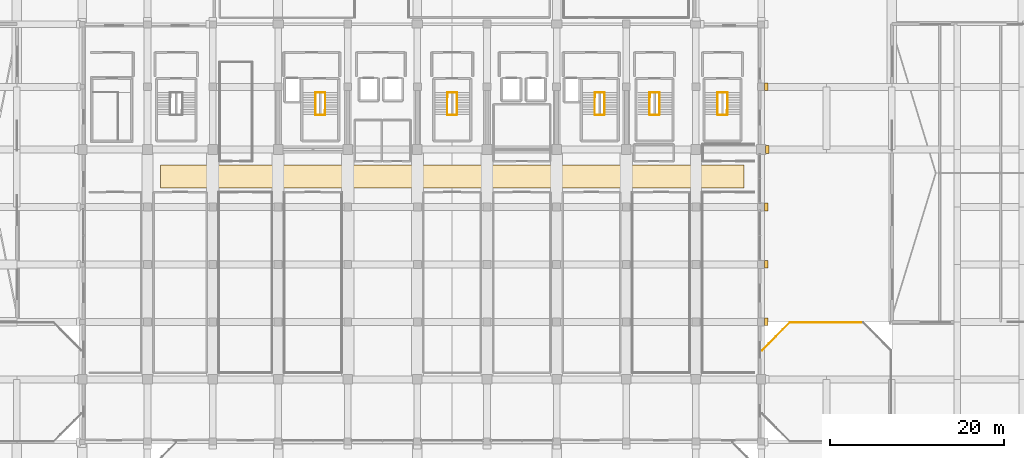
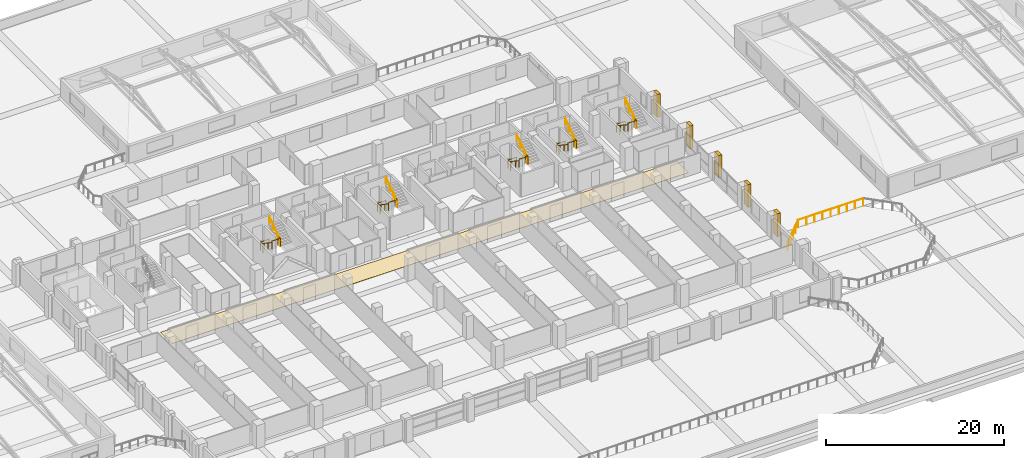
# One storey, part 47 of 49: 22 railings, 6 coverings.
"""IFC4 building model written with IfcOpenShell, lengths in metres."""

from ifc_helpers import new_model, si_unit, direction, frame, origin, origin_2d, place, context, subcontext, project, spatial, rectangle, circle, extrude, material, layer, layer_set, type_object, element, save


model = new_model("IFC4")

# Units and contexts
model_context = context("Model", 3, precision=1e-05, world=origin(), true_north=direction((0.0, 1.0)))
body_context = subcontext(model_context, "Body", "Model", "MODEL_VIEW")
ifc_project = project(units=[si_unit("LENGTHUNIT", "METRE"), si_unit("AREAUNIT", "SQUARE_METRE"), si_unit("VOLUMEUNIT", "CUBIC_METRE"), si_unit("PLANEANGLEUNIT", "RADIAN"), si_unit("MASSUNIT", "GRAM", prefix="KILO")], contexts=[model_context])

# Site, building, storey
site_placement = place(None, origin())
site = spatial("IfcSite", under=ifc_project, at=site_placement, CompositionType="ELEMENT")
building_placement = place(site_placement, origin())
building = spatial("IfcBuilding", under=site, at=building_placement, Name="Akrevak Sports Hall", CompositionType="ELEMENT")
storey_placement = place(building_placement, frame((0.0, 0.0, 24.14990234375)))
storey = spatial("IfcBuildingStorey", under=building, at=storey_placement, Name="L04", CompositionType="ELEMENT", Elevation=24.14990234375)

# Coverings
ifc_material_1 = material(Name="Polished Marmara Marble Terrazzo", Category="stone")
ifc_layer_1 = layer(ifc_material_1, 0.034912109375, Name="Polished Marmara Marble Terrazzo")
ifc_layer_set_1 = layer_set([ifc_layer_1], Name="Polished Marmara Marble Terrazzo")
covering_type_1 = type_object("IfcCoveringType", Name="ARC-COV-FLR-TERZ", PredefinedType="FLOORING", material=ifc_layer_set_1)
covering_placement = place(storey_placement, frame((80.0, 52.10009765625, 0.0), z_axis=(0.0, 0.0, 1.0), x_axis=(1.0, 0.0, 0.0)))
element("IfcCovering", 1, at=covering_placement, inside=storey, type_object=covering_type_1, Name="Transfer Sky Foyer Terrazzo Flooring", PredefinedType="FLOORING", context=body_context, shape_type="SweptSolid", body=[
    extrude(rectangle(XDim=67.0, YDim=2.60009765625, at=origin_2d()), origin(), (0.0, 0.0, 1.0), 0.034912109375),
])
ifc_material_2 = material(Name="Limestone Ashlar", Category="stone")
ifc_layer_2 = layer(ifc_material_2, 0.47998046875, Name="Limestone Ashlar")
ifc_layer_set_2 = layer_set([ifc_layer_2], Name="Limestone Ashlar")
covering_type_2 = type_object("IfcCoveringType", Name="ARC-COV-PIL-LIM", PredefinedType="CLADDING", material=ifc_layer_set_2)
for number, where, z_axis, x_axis, name in (
    (2, (116.080078125, 35.39990234375, 0.0), (0.0, 0.0, 1.0), (0.0, 1.0, 0.0), "Giant-Order Limestone Pilaster L04-02-13"),
    (3, (116.080078125, 42.0, 0.0), (0.0, 0.0, 1.0), (0.0, 1.0, 0.0), "Giant-Order Limestone Pilaster L04-02-14"),
    (4, (116.080078125, 48.60009765625, 0.0), (0.0, 0.0, 1.0), (0.0, 1.0, 0.0), "Giant-Order Limestone Pilaster L04-02-15"),
    (5, (116.179931640625, 55.199951171875, 0.0), (0.0, 0.0, 1.0), (0.0, 1.0, 0.0), "Giant-Order Limestone Pilaster L04-02-16"),
    (6, (116.080078125, 62.39990234375, 0.0), (0.0, 0.0, 1.0), (0.0, 1.0, 0.0), "Giant-Order Limestone Pilaster L04-02-17"),
):
    element("IfcCovering", number, at=place(storey_placement, frame(where, z_axis=z_axis, x_axis=x_axis)), inside=storey, type_object=covering_type_2, Name=name, PredefinedType="CLADDING", context=body_context, shape_type="SweptSolid", body=[
        extrude(rectangle(XDim=0.8798828125, YDim=0.419921875, at=origin_2d()), origin(), (0.0, 0.0, 1.0), 3.139892578125),
    ])

# Railings
ifc_material_3 = material(Name="Limestone Ashlar & Bronze Cap", Category="stone")
ifc_layer_3 = layer(ifc_material_3, 0.139892578125, Name="Limestone Ashlar & Bronze Cap")
ifc_layer_set_3 = layer_set([ifc_layer_3], Name="Limestone Ashlar & Bronze Cap")
railing_type_1 = type_object("IfcRailingType", Name="ARC-RL-BAL-1120", PredefinedType="BALUSTRADE", material=ifc_layer_set_3)
railing_1_placement = place(storey_placement, frame((127.219970703125, 35.320068359375, 0.0)))
element("IfcRailing", 7, at=railing_1_placement, inside=storey, type_object=railing_type_1, Name="Terrace Perimeter Balustrade L04-2.5", PredefinedType="BALUSTRADE", context=body_context, shape_type="SweptSolid", body=[
    extrude(circle(Radius=0.02392578125, at=origin_2d()), frame((0.0, 0.0, 1.09619140625), z_axis=(-1.0, 0.0, 0.0), x_axis=(0.0, -1.0, 0.0)), (0.0, 0.0, 1.0), 8.43994140625),
    extrude(circle(Radius=0.02099609375, at=origin_2d()), origin(), (0.0, 0.0, 1.0), 1.072021484375),
    extrude(circle(Radius=0.02099609375, at=origin_2d()), frame((-1.054931640625, 0.0, 0.0)), (0.0, 0.0, 1.0), 1.072021484375),
    extrude(circle(Radius=0.02099609375, at=origin_2d()), frame((-2.10986328125, 0.0, 0.0)), (0.0, 0.0, 1.0), 1.072021484375),
    extrude(circle(Radius=0.02099609375, at=origin_2d()), frame((-3.1650390625, 0.0, 0.0)), (0.0, 0.0, 1.0), 1.072021484375),
    extrude(circle(Radius=0.02099609375, at=origin_2d()), frame((-4.219970703125, 0.0, 0.0)), (0.0, 0.0, 1.0), 1.072021484375),
    extrude(circle(Radius=0.02099609375, at=origin_2d()), frame((-5.27490234375, 0.0, 0.0)), (0.0, 0.0, 1.0), 1.072021484375),
    extrude(circle(Radius=0.02099609375, at=origin_2d()), frame((-6.330078125, 0.0, 0.0)), (0.0, 0.0, 1.0), 1.072021484375),
    extrude(circle(Radius=0.02099609375, at=origin_2d()), frame((-7.385009765625, 0.0, 0.0)), (0.0, 0.0, 1.0), 1.072021484375),
    extrude(circle(Radius=0.02099609375, at=origin_2d()), frame((-8.43994140625, 0.0, 0.0)), (0.0, 0.0, 1.0), 1.072021484375),
])
railing_2_placement = place(storey_placement, frame((118.780029296875, 35.320068359375, 0.0)))
element("IfcRailing", 8, at=railing_2_placement, inside=storey, type_object=railing_type_1, Name="Terrace Perimeter Balustrade L04-2.6", PredefinedType="BALUSTRADE", context=body_context, shape_type="SweptSolid", body=[
    extrude(circle(Radius=0.02392578125, at=origin_2d()), frame((0.0, 0.0, 1.09619140625), z_axis=(-0.707106781187, -0.707106781187, 0.0), x_axis=(0.707106781187, -0.707106781187, 0.0)), (0.0, 0.0, 1.0), 4.525390625),
    extrude(circle(Radius=0.02099609375, at=origin_2d()), origin(), (0.0, 0.0, 1.0), 1.072021484375),
    extrude(circle(Radius=0.02099609375, at=origin_2d()), frame((-0.800048828125, -0.800048828125, 0.0)), (0.0, 0.0, 1.0), 1.072021484375),
    extrude(circle(Radius=0.02099609375, at=origin_2d()), frame((-1.60009765625, -1.60009765625, 0.0)), (0.0, 0.0, 1.0), 1.072021484375),
    extrude(circle(Radius=0.02099609375, at=origin_2d()), frame((-2.39990234375, -2.39990234375, 0.0)), (0.0, 0.0, 1.0), 1.072021484375),
    extrude(circle(Radius=0.02099609375, at=origin_2d()), frame((-3.199951171875, -3.199951171875, 0.0)), (0.0, 0.0, 1.0), 1.072021484375),
])
ifc_material_4 = material(Name="Painted Architectural Balustrade Steel", Category="steel")
ifc_layer_4 = layer(ifc_material_4, 0.06005859375, Name="Painted Architectural Balustrade Steel")
ifc_layer_set_4 = layer_set([ifc_layer_4], Name="Painted Architectural Balustrade Steel")
railing_type_2 = type_object("IfcRailingType", Name="ARC-RL-GRD-1120", PredefinedType="GUARDRAIL", material=ifc_layer_set_4)
railing_3_placement = place(storey_placement, frame((64.31005859375, 61.215087890625, 0.0)))
element("IfcRailing", 9, at=railing_3_placement, inside=storey, type_object=railing_type_2, Name="Stair Floor Landing Well Guard ST1 (L04)", PredefinedType="GUARDRAIL", context=body_context, shape_type="SweptSolid", body=[
    extrude(circle(Radius=0.02392578125, at=origin_2d()), frame((0.0, 0.0, 1.09619140625), z_axis=(0.0, 1.0, 0.0), x_axis=(-1.0, 0.0, 0.0)), (0.0, 0.0, 1.0), 0.5498046875),
    extrude(circle(Radius=0.02392578125, at=origin_2d()), frame((0.0, 0.5498046875, 1.09619140625), z_axis=(1.0, 0.0, 0.0), x_axis=(0.0, 1.0, 0.0)), (0.0, 0.0, 1.0), 1.10986328125),
    extrude(circle(Radius=0.02099609375, at=origin_2d()), origin(), (0.0, 0.0, 1.0), 1.072021484375),
    extrude(circle(Radius=0.02099609375, at=origin_2d()), frame((0.0, 0.5498046875, 0.0)), (0.0, 0.0, 1.0), 1.072021484375),
    extrude(circle(Radius=0.02099609375, at=origin_2d()), frame((1.10986328125, 0.5498046875, 0.0)), (0.0, 0.0, 1.0), 1.072021484375),
])
railing_4_placement = place(storey_placement, frame((64.280029296875, 59.18505859375, 1.7001953125)))
element("IfcRailing", 10, at=railing_4_placement, inside=storey, type_object=railing_type_2, Name="Stair Landing Well Guard ST1-L04-1", PredefinedType="GUARDRAIL", context=body_context, shape_type="SweptSolid", body=[
    extrude(circle(Radius=0.02392578125, at=origin_2d()), frame((0.0, 0.0, 1.09619140625), z_axis=(1.0, 0.0, 0.0), x_axis=(0.0, 1.0, 0.0)), (0.0, 0.0, 1.0), 1.10986328125),
    extrude(circle(Radius=0.02392578125, at=origin_2d()), frame((1.10986328125, 0.0, 1.09619140625), z_axis=(0.0, 1.0, 0.0), x_axis=(-1.0, 0.0, 0.0)), (0.0, 0.0, 1.0), 0.52001953125),
    extrude(circle(Radius=0.02099609375, at=origin_2d()), origin(), (0.0, 0.0, 1.0), 1.072021484375),
    extrude(circle(Radius=0.02099609375, at=origin_2d()), frame((1.10986328125, 0.0, 0.0)), (0.0, 0.0, 1.0), 1.072021484375),
    extrude(circle(Radius=0.02099609375, at=origin_2d()), frame((1.10986328125, 0.52001953125, 0.0)), (0.0, 0.0, 1.0), 1.072021484375),
])
railing_5_placement = place(storey_placement, frame((96.409912109375, 61.215087890625, 0.0)))
element("IfcRailing", 11, at=railing_5_placement, inside=storey, type_object=railing_type_2, Name="Stair Floor Landing Well Guard ST2 (L04)", PredefinedType="GUARDRAIL", context=body_context, shape_type="SweptSolid", body=[
    extrude(circle(Radius=0.02392578125, at=origin_2d()), frame((0.0, 0.0, 1.09619140625), z_axis=(0.0, 1.0, 0.0), x_axis=(-1.0, 0.0, 0.0)), (0.0, 0.0, 1.0), 0.5498046875),
    extrude(circle(Radius=0.02392578125, at=origin_2d()), frame((0.0, 0.5498046875, 1.09619140625), z_axis=(1.0, 0.0, 0.0), x_axis=(0.0, 1.0, 0.0)), (0.0, 0.0, 1.0), 1.110107421875),
    extrude(circle(Radius=0.02099609375, at=origin_2d()), origin(), (0.0, 0.0, 1.0), 1.072021484375),
    extrude(circle(Radius=0.02099609375, at=origin_2d()), frame((0.0, 0.5498046875, 0.0)), (0.0, 0.0, 1.0), 1.072021484375),
    extrude(circle(Radius=0.02099609375, at=origin_2d()), frame((1.110107421875, 0.5498046875, 0.0)), (0.0, 0.0, 1.0), 1.072021484375),
])
railing_6_placement = place(storey_placement, frame((96.3798828125, 59.18505859375, 1.7001953125)))
element("IfcRailing", 12, at=railing_6_placement, inside=storey, type_object=railing_type_2, Name="Stair Landing Well Guard ST2-L04-1", PredefinedType="GUARDRAIL", context=body_context, shape_type="SweptSolid", body=[
    extrude(circle(Radius=0.02392578125, at=origin_2d()), frame((0.0, 0.0, 1.09619140625), z_axis=(1.0, 0.0, 0.0), x_axis=(0.0, 1.0, 0.0)), (0.0, 0.0, 1.0), 1.110107421875),
    extrude(circle(Radius=0.02392578125, at=origin_2d()), frame((1.110107421875, 0.0, 1.09619140625), z_axis=(0.0, 1.0, 0.0), x_axis=(-1.0, 0.0, 0.0)), (0.0, 0.0, 1.0), 0.52001953125),
    extrude(circle(Radius=0.02099609375, at=origin_2d()), origin(), (0.0, 0.0, 1.0), 1.072021484375),
    extrude(circle(Radius=0.02099609375, at=origin_2d()), frame((1.110107421875, 0.0, 0.0)), (0.0, 0.0, 1.0), 1.072021484375),
    extrude(circle(Radius=0.02099609375, at=origin_2d()), frame((1.110107421875, 0.52001953125, 0.0)), (0.0, 0.0, 1.0), 1.072021484375),
])
railing_7_placement = place(storey_placement, frame((79.4599609375, 61.215087890625, 0.0)))
element("IfcRailing", 13, at=railing_7_placement, inside=storey, type_object=railing_type_2, Name="Stair Floor Landing Well Guard ST3 (L04)", PredefinedType="GUARDRAIL", context=body_context, shape_type="SweptSolid", body=[
    extrude(circle(Radius=0.02392578125, at=origin_2d()), frame((0.0, 0.0, 1.09619140625), z_axis=(0.0, 1.0, 0.0), x_axis=(-1.0, 0.0, 0.0)), (0.0, 0.0, 1.0), 0.5498046875),
    extrude(circle(Radius=0.02392578125, at=origin_2d()), frame((0.0, 0.5498046875, 1.09619140625), z_axis=(1.0, 0.0, 0.0), x_axis=(0.0, 1.0, 0.0)), (0.0, 0.0, 1.0), 1.110107421875),
    extrude(circle(Radius=0.02099609375, at=origin_2d()), origin(), (0.0, 0.0, 1.0), 1.072021484375),
    extrude(circle(Radius=0.02099609375, at=origin_2d()), frame((0.0, 0.5498046875, 0.0)), (0.0, 0.0, 1.0), 1.072021484375),
    extrude(circle(Radius=0.02099609375, at=origin_2d()), frame((1.110107421875, 0.5498046875, 0.0)), (0.0, 0.0, 1.0), 1.072021484375),
])
railing_8_placement = place(storey_placement, frame((79.429931640625, 59.18505859375, 1.7001953125)))
element("IfcRailing", 14, at=railing_8_placement, inside=storey, type_object=railing_type_2, Name="Stair Landing Well Guard ST3-L04-1", PredefinedType="GUARDRAIL", context=body_context, shape_type="SweptSolid", body=[
    extrude(circle(Radius=0.02392578125, at=origin_2d()), frame((0.0, 0.0, 1.09619140625), z_axis=(1.0, 0.0, 0.0), x_axis=(0.0, 1.0, 0.0)), (0.0, 0.0, 1.0), 1.110107421875),
    extrude(circle(Radius=0.02392578125, at=origin_2d()), frame((1.110107421875, 0.0, 1.09619140625), z_axis=(0.0, 1.0, 0.0), x_axis=(-1.0, 0.0, 0.0)), (0.0, 0.0, 1.0), 0.52001953125),
    extrude(circle(Radius=0.02099609375, at=origin_2d()), origin(), (0.0, 0.0, 1.0), 1.072021484375),
    extrude(circle(Radius=0.02099609375, at=origin_2d()), frame((1.110107421875, 0.0, 0.0)), (0.0, 0.0, 1.0), 1.072021484375),
    extrude(circle(Radius=0.02099609375, at=origin_2d()), frame((1.110107421875, 0.52001953125, 0.0)), (0.0, 0.0, 1.0), 1.072021484375),
])
railing_9_placement = place(storey_placement, frame((102.7099609375, 61.215087890625, 0.0)))
element("IfcRailing", 15, at=railing_9_placement, inside=storey, type_object=railing_type_2, Name="Stair Floor Landing Well Guard ST10 (L04)", PredefinedType="GUARDRAIL", context=body_context, shape_type="SweptSolid", body=[
    extrude(circle(Radius=0.02392578125, at=origin_2d()), frame((0.0, 0.0, 1.09619140625), z_axis=(0.0, 1.0, 0.0), x_axis=(-1.0, 0.0, 0.0)), (0.0, 0.0, 1.0), 0.5498046875),
    extrude(circle(Radius=0.02392578125, at=origin_2d()), frame((0.0, 0.5498046875, 1.09619140625), z_axis=(1.0, 0.0, 0.0), x_axis=(0.0, 1.0, 0.0)), (0.0, 0.0, 1.0), 1.110107421875),
    extrude(circle(Radius=0.02099609375, at=origin_2d()), origin(), (0.0, 0.0, 1.0), 1.072021484375),
    extrude(circle(Radius=0.02099609375, at=origin_2d()), frame((0.0, 0.5498046875, 0.0)), (0.0, 0.0, 1.0), 1.072021484375),
    extrude(circle(Radius=0.02099609375, at=origin_2d()), frame((1.110107421875, 0.5498046875, 0.0)), (0.0, 0.0, 1.0), 1.072021484375),
])
railing_10_placement = place(storey_placement, frame((102.679931640625, 59.18505859375, 1.7001953125)))
element("IfcRailing", 16, at=railing_10_placement, inside=storey, type_object=railing_type_2, Name="Stair Landing Well Guard ST10-L04-1", PredefinedType="GUARDRAIL", context=body_context, shape_type="SweptSolid", body=[
    extrude(circle(Radius=0.02392578125, at=origin_2d()), frame((0.0, 0.0, 1.09619140625), z_axis=(1.0, 0.0, 0.0), x_axis=(0.0, 1.0, 0.0)), (0.0, 0.0, 1.0), 1.110107421875),
    extrude(circle(Radius=0.02392578125, at=origin_2d()), frame((1.110107421875, 0.0, 1.09619140625), z_axis=(0.0, 1.0, 0.0), x_axis=(-1.0, 0.0, 0.0)), (0.0, 0.0, 1.0), 0.52001953125),
    extrude(circle(Radius=0.02099609375, at=origin_2d()), origin(), (0.0, 0.0, 1.0), 1.072021484375),
    extrude(circle(Radius=0.02099609375, at=origin_2d()), frame((1.110107421875, 0.0, 0.0)), (0.0, 0.0, 1.0), 1.072021484375),
    extrude(circle(Radius=0.02099609375, at=origin_2d()), frame((1.110107421875, 0.52001953125, 0.0)), (0.0, 0.0, 1.0), 1.072021484375),
])
railing_11_placement = place(storey_placement, frame((110.510009765625, 61.215087890625, 0.0)))
element("IfcRailing", 17, at=railing_11_placement, inside=storey, type_object=railing_type_2, Name="Stair Floor Landing Well Guard ST11 (L04)", PredefinedType="GUARDRAIL", context=body_context, shape_type="SweptSolid", body=[
    extrude(circle(Radius=0.02392578125, at=origin_2d()), frame((0.0, 0.0, 1.09619140625), z_axis=(0.0, 1.0, 0.0), x_axis=(-1.0, 0.0, 0.0)), (0.0, 0.0, 1.0), 0.5498046875),
    extrude(circle(Radius=0.02392578125, at=origin_2d()), frame((0.0, 0.5498046875, 1.09619140625), z_axis=(1.0, 0.0, 0.0), x_axis=(0.0, 1.0, 0.0)), (0.0, 0.0, 1.0), 1.110107421875),
    extrude(circle(Radius=0.02099609375, at=origin_2d()), origin(), (0.0, 0.0, 1.0), 1.072021484375),
    extrude(circle(Radius=0.02099609375, at=origin_2d()), frame((0.0, 0.5498046875, 0.0)), (0.0, 0.0, 1.0), 1.072021484375),
    extrude(circle(Radius=0.02099609375, at=origin_2d()), frame((1.110107421875, 0.5498046875, 0.0)), (0.0, 0.0, 1.0), 1.072021484375),
])
railing_12_placement = place(storey_placement, frame((110.47998046875, 59.18505859375, 1.7001953125)))
element("IfcRailing", 18, at=railing_12_placement, inside=storey, type_object=railing_type_2, Name="Stair Landing Well Guard ST11-L04-1", PredefinedType="GUARDRAIL", context=body_context, shape_type="SweptSolid", body=[
    extrude(circle(Radius=0.02392578125, at=origin_2d()), frame((0.0, 0.0, 1.09619140625), z_axis=(1.0, 0.0, 0.0), x_axis=(0.0, 1.0, 0.0)), (0.0, 0.0, 1.0), 1.110107421875),
    extrude(circle(Radius=0.02392578125, at=origin_2d()), frame((1.110107421875, 0.0, 1.09619140625), z_axis=(0.0, 1.0, 0.0), x_axis=(-1.0, 0.0, 0.0)), (0.0, 0.0, 1.0), 0.52001953125),
    extrude(circle(Radius=0.02099609375, at=origin_2d()), origin(), (0.0, 0.0, 1.0), 1.072021484375),
    extrude(circle(Radius=0.02099609375, at=origin_2d()), frame((1.110107421875, 0.0, 0.0)), (0.0, 0.0, 1.0), 1.072021484375),
    extrude(circle(Radius=0.02099609375, at=origin_2d()), frame((1.110107421875, 0.52001953125, 0.0)), (0.0, 0.0, 1.0), 1.072021484375),
])
ifc_material_5 = material(Name="Brushed Stainless Steel 304", Category="steel")
ifc_layer_5 = layer(ifc_material_5, 0.050048828125, Name="Brushed Stainless Steel 304")
ifc_layer_set_5 = layer_set([ifc_layer_5], Name="Brushed Stainless Steel 304")
railing_type_3 = type_object("IfcRailingType", Name="ARC-RL-HND-900", PredefinedType="HANDRAIL", material=ifc_layer_set_5)
railing_13_placement = place(storey_placement, frame((64.280029296875, 61.735107421875, 0.0)))
element("IfcRailing", 19, at=railing_13_placement, inside=storey, type_object=railing_type_3, Name="Stair Handrail ST1-L04-F1", PredefinedType="HANDRAIL", context=body_context, shape_type="SweptSolid", body=[
    extrude(circle(Radius=0.02392578125, at=origin_2d()), frame((0.0, 0.0, 0.8759765625), z_axis=(0.0, -0.828973413598, 0.559288011267), x_axis=(1.0, 0.0, 0.0)), (0.0, 0.0, 1.0), 3.0400390625),
    extrude(circle(Radius=0.02099609375, at=origin_2d()), origin(), (0.0, 0.0, 1.0), 0.851806640625),
    extrude(circle(Radius=0.02099609375, at=origin_2d()), frame((0.0, -0.840087890625, 0.566650390625)), (0.0, 0.0, 1.0), 0.851806640625),
    extrude(circle(Radius=0.02099609375, at=origin_2d()), frame((0.0, -1.679931640625, 1.133544921875)), (0.0, 0.0, 1.0), 0.851806640625),
    extrude(circle(Radius=0.02099609375, at=origin_2d()), frame((0.0, -2.52001953125, 1.7001953125)), (0.0, 0.0, 1.0), 0.851806640625),
])
railing_14_placement = place(storey_placement, frame((65.419921875, 59.215087890625, 1.7001953125)))
element("IfcRailing", 20, at=railing_14_placement, inside=storey, type_object=railing_type_3, Name="Stair Handrail ST1-L04-F2", PredefinedType="HANDRAIL", context=body_context, shape_type="SweptSolid", body=[
    extrude(circle(Radius=0.02392578125, at=origin_2d()), frame((0.0, 0.0, 0.8759765625), z_axis=(0.0, 0.829010648562, 0.559232817859), x_axis=(-1.0, 0.0, 0.0)), (0.0, 0.0, 1.0), 3.039794921875),
    extrude(circle(Radius=0.02099609375, at=origin_2d()), origin(), (0.0, 0.0, 1.0), 0.851806640625),
    extrude(circle(Radius=0.02099609375, at=origin_2d()), frame((0.0, 0.840087890625, 0.566650390625)), (0.0, 0.0, 1.0), 0.851806640625),
    extrude(circle(Radius=0.02099609375, at=origin_2d()), frame((0.0, 1.679931640625, 1.13330078125)), (0.0, 0.0, 1.0), 0.851806640625),
    extrude(circle(Radius=0.02099609375, at=origin_2d()), frame((0.0, 2.52001953125, 1.699951171875)), (0.0, 0.0, 1.0), 0.851806640625),
])
railing_15_placement = place(storey_placement, frame((96.3798828125, 61.735107421875, 0.0)))
element("IfcRailing", 21, at=railing_15_placement, inside=storey, type_object=railing_type_3, Name="Stair Handrail ST2-L04-F1", PredefinedType="HANDRAIL", context=body_context, shape_type="SweptSolid", body=[
    extrude(circle(Radius=0.02392578125, at=origin_2d()), frame((0.0, 0.0, 0.8759765625), z_axis=(0.0, -0.828973413598, 0.559288011267), x_axis=(1.0, 0.0, 0.0)), (0.0, 0.0, 1.0), 3.0400390625),
    extrude(circle(Radius=0.02099609375, at=origin_2d()), origin(), (0.0, 0.0, 1.0), 0.851806640625),
    extrude(circle(Radius=0.02099609375, at=origin_2d()), frame((0.0, -0.840087890625, 0.566650390625)), (0.0, 0.0, 1.0), 0.851806640625),
    extrude(circle(Radius=0.02099609375, at=origin_2d()), frame((0.0, -1.679931640625, 1.133544921875)), (0.0, 0.0, 1.0), 0.851806640625),
    extrude(circle(Radius=0.02099609375, at=origin_2d()), frame((0.0, -2.52001953125, 1.7001953125)), (0.0, 0.0, 1.0), 0.851806640625),
])
railing_16_placement = place(storey_placement, frame((97.52001953125, 59.215087890625, 1.7001953125)))
element("IfcRailing", 22, at=railing_16_placement, inside=storey, type_object=railing_type_3, Name="Stair Handrail ST2-L04-F2", PredefinedType="HANDRAIL", context=body_context, shape_type="SweptSolid", body=[
    extrude(circle(Radius=0.02392578125, at=origin_2d()), frame((0.0, 0.0, 0.8759765625), z_axis=(0.0, 0.829010648562, 0.559232817859), x_axis=(-1.0, 0.0, 0.0)), (0.0, 0.0, 1.0), 3.039794921875),
    extrude(circle(Radius=0.02099609375, at=origin_2d()), origin(), (0.0, 0.0, 1.0), 0.851806640625),
    extrude(circle(Radius=0.02099609375, at=origin_2d()), frame((0.0, 0.840087890625, 0.566650390625)), (0.0, 0.0, 1.0), 0.851806640625),
    extrude(circle(Radius=0.02099609375, at=origin_2d()), frame((0.0, 1.679931640625, 1.13330078125)), (0.0, 0.0, 1.0), 0.851806640625),
    extrude(circle(Radius=0.02099609375, at=origin_2d()), frame((0.0, 2.52001953125, 1.699951171875)), (0.0, 0.0, 1.0), 0.851806640625),
])
railing_17_placement = place(storey_placement, frame((79.429931640625, 61.735107421875, 0.0)))
element("IfcRailing", 23, at=railing_17_placement, inside=storey, type_object=railing_type_3, Name="Stair Handrail ST3-L04-F1", PredefinedType="HANDRAIL", context=body_context, shape_type="SweptSolid", body=[
    extrude(circle(Radius=0.02392578125, at=origin_2d()), frame((0.0, 0.0, 0.8759765625), z_axis=(0.0, -0.828973413598, 0.559288011267), x_axis=(1.0, 0.0, 0.0)), (0.0, 0.0, 1.0), 3.0400390625),
    extrude(circle(Radius=0.02099609375, at=origin_2d()), origin(), (0.0, 0.0, 1.0), 0.851806640625),
    extrude(circle(Radius=0.02099609375, at=origin_2d()), frame((0.0, -0.840087890625, 0.566650390625)), (0.0, 0.0, 1.0), 0.851806640625),
    extrude(circle(Radius=0.02099609375, at=origin_2d()), frame((0.0, -1.679931640625, 1.133544921875)), (0.0, 0.0, 1.0), 0.851806640625),
    extrude(circle(Radius=0.02099609375, at=origin_2d()), frame((0.0, -2.52001953125, 1.7001953125)), (0.0, 0.0, 1.0), 0.851806640625),
])
railing_18_placement = place(storey_placement, frame((80.570068359375, 59.215087890625, 1.7001953125)))
element("IfcRailing", 24, at=railing_18_placement, inside=storey, type_object=railing_type_3, Name="Stair Handrail ST3-L04-F2", PredefinedType="HANDRAIL", context=body_context, shape_type="SweptSolid", body=[
    extrude(circle(Radius=0.02392578125, at=origin_2d()), frame((0.0, 0.0, 0.8759765625), z_axis=(0.0, 0.829010648562, 0.559232817859), x_axis=(-1.0, 0.0, 0.0)), (0.0, 0.0, 1.0), 3.039794921875),
    extrude(circle(Radius=0.02099609375, at=origin_2d()), origin(), (0.0, 0.0, 1.0), 0.851806640625),
    extrude(circle(Radius=0.02099609375, at=origin_2d()), frame((0.0, 0.840087890625, 0.566650390625)), (0.0, 0.0, 1.0), 0.851806640625),
    extrude(circle(Radius=0.02099609375, at=origin_2d()), frame((0.0, 1.679931640625, 1.13330078125)), (0.0, 0.0, 1.0), 0.851806640625),
    extrude(circle(Radius=0.02099609375, at=origin_2d()), frame((0.0, 2.52001953125, 1.699951171875)), (0.0, 0.0, 1.0), 0.851806640625),
])
railing_19_placement = place(storey_placement, frame((102.679931640625, 61.735107421875, 0.0)))
element("IfcRailing", 25, at=railing_19_placement, inside=storey, type_object=railing_type_3, Name="Stair Handrail ST10-L04-F1", PredefinedType="HANDRAIL", context=body_context, shape_type="SweptSolid", body=[
    extrude(circle(Radius=0.02392578125, at=origin_2d()), frame((0.0, 0.0, 0.8759765625), z_axis=(0.0, -0.828973413598, 0.559288011267), x_axis=(1.0, 0.0, 0.0)), (0.0, 0.0, 1.0), 3.0400390625),
    extrude(circle(Radius=0.02099609375, at=origin_2d()), origin(), (0.0, 0.0, 1.0), 0.851806640625),
    extrude(circle(Radius=0.02099609375, at=origin_2d()), frame((0.0, -0.840087890625, 0.566650390625)), (0.0, 0.0, 1.0), 0.851806640625),
    extrude(circle(Radius=0.02099609375, at=origin_2d()), frame((0.0, -1.679931640625, 1.133544921875)), (0.0, 0.0, 1.0), 0.851806640625),
    extrude(circle(Radius=0.02099609375, at=origin_2d()), frame((0.0, -2.52001953125, 1.7001953125)), (0.0, 0.0, 1.0), 0.851806640625),
])
railing_20_placement = place(storey_placement, frame((103.820068359375, 59.215087890625, 1.7001953125)))
element("IfcRailing", 26, at=railing_20_placement, inside=storey, type_object=railing_type_3, Name="Stair Handrail ST10-L04-F2", PredefinedType="HANDRAIL", context=body_context, shape_type="SweptSolid", body=[
    extrude(circle(Radius=0.02392578125, at=origin_2d()), frame((0.0, 0.0, 0.8759765625), z_axis=(0.0, 0.829010648562, 0.559232817859), x_axis=(-1.0, 0.0, 0.0)), (0.0, 0.0, 1.0), 3.039794921875),
    extrude(circle(Radius=0.02099609375, at=origin_2d()), origin(), (0.0, 0.0, 1.0), 0.851806640625),
    extrude(circle(Radius=0.02099609375, at=origin_2d()), frame((0.0, 0.840087890625, 0.566650390625)), (0.0, 0.0, 1.0), 0.851806640625),
    extrude(circle(Radius=0.02099609375, at=origin_2d()), frame((0.0, 1.679931640625, 1.13330078125)), (0.0, 0.0, 1.0), 0.851806640625),
    extrude(circle(Radius=0.02099609375, at=origin_2d()), frame((0.0, 2.52001953125, 1.699951171875)), (0.0, 0.0, 1.0), 0.851806640625),
])
railing_21_placement = place(storey_placement, frame((110.47998046875, 61.735107421875, 0.0)))
element("IfcRailing", 27, at=railing_21_placement, inside=storey, type_object=railing_type_3, Name="Stair Handrail ST11-L04-F1", PredefinedType="HANDRAIL", context=body_context, shape_type="SweptSolid", body=[
    extrude(circle(Radius=0.02392578125, at=origin_2d()), frame((0.0, 0.0, 0.8759765625), z_axis=(0.0, -0.828973413598, 0.559288011267), x_axis=(1.0, 0.0, 0.0)), (0.0, 0.0, 1.0), 3.0400390625),
    extrude(circle(Radius=0.02099609375, at=origin_2d()), origin(), (0.0, 0.0, 1.0), 0.851806640625),
    extrude(circle(Radius=0.02099609375, at=origin_2d()), frame((0.0, -0.840087890625, 0.566650390625)), (0.0, 0.0, 1.0), 0.851806640625),
    extrude(circle(Radius=0.02099609375, at=origin_2d()), frame((0.0, -1.679931640625, 1.133544921875)), (0.0, 0.0, 1.0), 0.851806640625),
    extrude(circle(Radius=0.02099609375, at=origin_2d()), frame((0.0, -2.52001953125, 1.7001953125)), (0.0, 0.0, 1.0), 0.851806640625),
])
railing_22_placement = place(storey_placement, frame((111.6201171875, 59.215087890625, 1.7001953125)))
element("IfcRailing", 28, at=railing_22_placement, inside=storey, type_object=railing_type_3, Name="Stair Handrail ST11-L04-F2", PredefinedType="HANDRAIL", context=body_context, shape_type="SweptSolid", body=[
    extrude(circle(Radius=0.02392578125, at=origin_2d()), frame((0.0, 0.0, 0.8759765625), z_axis=(0.0, 0.829010648562, 0.559232817859), x_axis=(-1.0, 0.0, 0.0)), (0.0, 0.0, 1.0), 3.039794921875),
    extrude(circle(Radius=0.02099609375, at=origin_2d()), origin(), (0.0, 0.0, 1.0), 0.851806640625),
    extrude(circle(Radius=0.02099609375, at=origin_2d()), frame((0.0, 0.840087890625, 0.566650390625)), (0.0, 0.0, 1.0), 0.851806640625),
    extrude(circle(Radius=0.02099609375, at=origin_2d()), frame((0.0, 1.679931640625, 1.13330078125)), (0.0, 0.0, 1.0), 0.851806640625),
    extrude(circle(Radius=0.02099609375, at=origin_2d()), frame((0.0, 2.52001953125, 1.699951171875)), (0.0, 0.0, 1.0), 0.851806640625),
])

save(model, "model.ifc")
